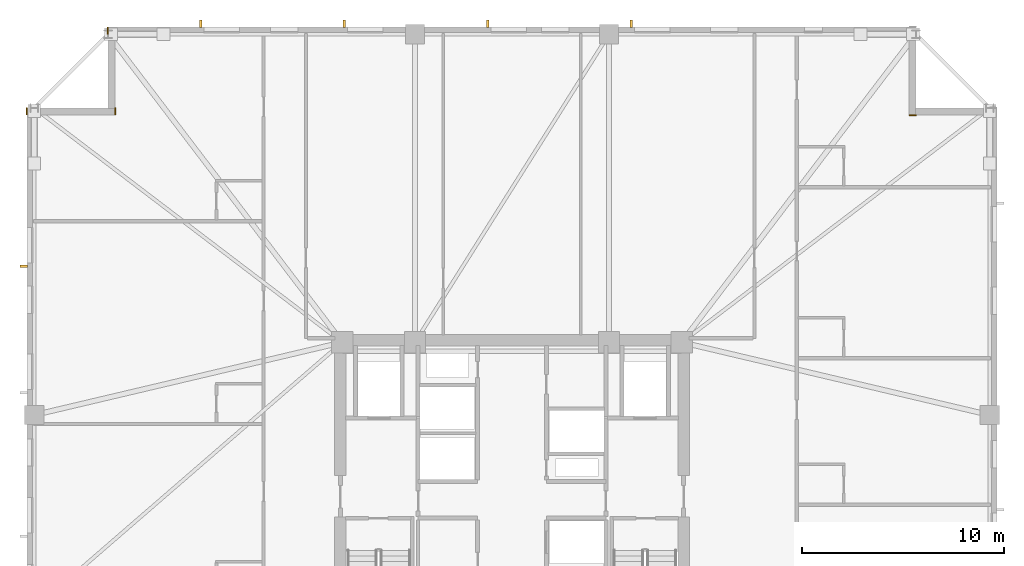
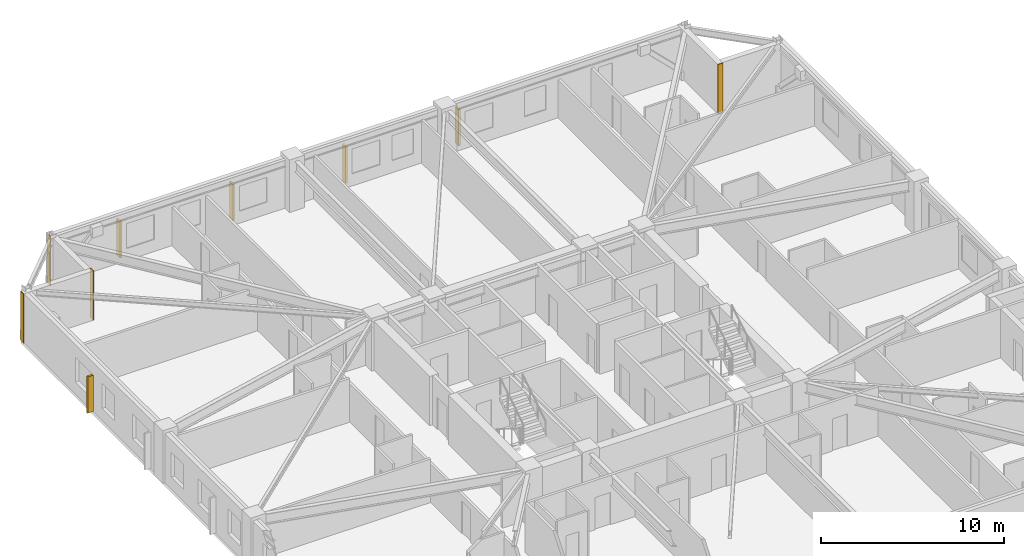
# One storey, part 10 of 11: 5 shading devices, 4 coverings.
"""IFC4 building model written with IfcOpenShell, lengths in metres."""

import ifcopenshell
import ifcopenshell.guid

model = None  # the IFC model being written
_history = None  # IfcOwnerHistory: only IFC2X3 demands one
_inside = {}  # id of a spatial element -> (the spatial element, [elements in it])
_under = {}  # id of a project, library or spatial element -> (it, [spatial elements below it])
_declared = {}  # id of a project -> (the project, [libraries it declares])
_typed = {}  # id of a type object -> (the type object, [elements of that type])
_made_of = {}  # id of a material, layer set ... -> (it, [elements and type objects made of it])


def new_model(schema):
    """Start an empty IFC model of exactly this schema.

    Asked for "IFC4X3", IfcOpenShell would pick the latest addendum, in which some entities
    have other attributes; the version numbers below select the first issue.
    IFC2X3 requires an IfcOwnerHistory on every rooted entity: one is made here for all.
    """
    global model, _history
    if schema == "IFC4X3":
        model = ifcopenshell.file(schema_version=(4, 3, 0, 0))
    else:
        model = ifcopenshell.file(schema=schema)
    _inside.clear()
    _under.clear()
    _declared.clear()
    _typed.clear()
    _made_of.clear()
    _history = None
    if model.schema == "IFC2X3":
        org = make("IfcOrganization", Name="unknown")
        user = make(
            "IfcPersonAndOrganization",
            ThePerson=make("IfcPerson", FamilyName="unknown"),
            TheOrganization=org,
        )
        app = make(
            "IfcApplication",
            ApplicationDeveloper=org,
            Version="unknown",
            ApplicationFullName="unknown",
            ApplicationIdentifier="unknown",
        )
        _history = make(
            "IfcOwnerHistory",
            OwningUser=user,
            OwningApplication=app,
            ChangeAction="ADDED",
            CreationDate=0,
        )
    return model


def make(cls, **values):
    """One entity of the class cls with the attributes given. An attribute that is None is left unset."""
    return model.create_entity(
        cls, **{name: value for name, value in values.items() if value is not None}
    )


def rooted(cls, **values):
    """An entity with a GlobalId (a new one), such as an element, a storey or a relation."""
    return make(cls, GlobalId=ifcopenshell.guid.new(), OwnerHistory=_history, **values)


def si_unit(unit_type, name, prefix=None):
    """IfcSIUnit, for example si_unit("LENGTHUNIT", "METRE", prefix="MILLI")."""
    return make("IfcSIUnit", UnitType=unit_type, Prefix=prefix, Name=name)


def assignment(units):
    """IfcUnitAssignment: the units of a project."""
    return None if units is None else make("IfcUnitAssignment", Units=units)


def point(xyz):
    """IfcCartesianPoint."""
    return None if xyz is None else make("IfcCartesianPoint", Coordinates=xyz)


def direction(xyz):
    """IfcDirection."""
    return None if xyz is None else make("IfcDirection", DirectionRatios=xyz)


def frame(location, z_axis=None, x_axis=None):
    """IfcAxis2Placement3D, a coordinate frame: its origin and axes. An axis left out is left unset."""
    return make(
        "IfcAxis2Placement3D",
        Location=point(location),
        Axis=direction(z_axis),
        RefDirection=direction(x_axis),
    )


def frame_2d(location, x_axis=None):
    """IfcAxis2Placement2D, a coordinate frame in the plane: its origin and x axis."""
    return make(
        "IfcAxis2Placement2D", Location=point(location), RefDirection=direction(x_axis)
    )


def origin():
    """The frame at (0, 0, 0) with its axes left unset."""
    return frame((0.0, 0.0, 0.0))


def origin_2d():
    """The frame at (0, 0) in the plane with its x axis left unset."""
    return frame_2d((0.0, 0.0))


def place(relative_to, where):
    """IfcLocalPlacement: puts the frame where relative to a parent placement (None: the world)."""
    return make(
        "IfcLocalPlacement", PlacementRelTo=relative_to, RelativePlacement=where
    )


def context(
    kind, dimensions, precision=None, world=None, true_north=None, identifier=None
):
    """IfcGeometricRepresentationContext, for example the 3D "Model" context."""
    return make(
        "IfcGeometricRepresentationContext",
        ContextIdentifier=identifier,
        ContextType=kind,
        CoordinateSpaceDimension=dimensions,
        Precision=precision,
        WorldCoordinateSystem=world,
        TrueNorth=true_north,
    )


def subcontext(parent, identifier, kind, view, scale=None):
    """IfcGeometricRepresentationSubContext, for example "Body" below "Model"."""
    return make(
        "IfcGeometricRepresentationSubContext",
        ContextIdentifier=identifier,
        ContextType=kind,
        ParentContext=parent,
        TargetScale=scale,
        TargetView=view,
    )


def project(units=None, contexts=None):
    """IfcProject with its units and contexts."""
    return rooted(
        "IfcProject",
        Name="project",
        RepresentationContexts=contexts,
        UnitsInContext=assignment(units),
    )


def spatial(cls, under=None, at=None, **own):
    """A site, building, storey or space (cls), placed at a placement, below another one or the project."""
    s = rooted(cls, ObjectPlacement=at, **own)
    if under is not None:
        _under.setdefault(under.id(), (under, []))[1].append(s)
    return s


def profile(cls, at=None, kind="AREA", **sizes):
    """A parametric profile (cls). Its sizes go by their IFC names, for example OverallWidth=200.0."""
    return make(cls, ProfileType=kind, Position=at, **sizes)


def rectangle(**sizes):
    """IfcRectangleProfileDef."""
    return profile("IfcRectangleProfileDef", **sizes)


def extrude(swept, where, along, depth):
    """IfcExtrudedAreaSolid: the profile swept, set in the frame where, extruded along a direction by depth."""
    return make(
        "IfcExtrudedAreaSolid",
        SweptArea=swept,
        Position=where,
        ExtrudedDirection=direction(along),
        Depth=depth,
    )


def shape(context_of_items, identifier, shape_type, items):
    """IfcShapeRepresentation: the items that make up one representation, for example the "Body"."""
    return make(
        "IfcShapeRepresentation",
        ContextOfItems=context_of_items,
        RepresentationIdentifier=identifier,
        RepresentationType=shape_type,
        Items=items,
    )


def material(Name=None, Category=None):
    """IfcMaterial."""
    return make("IfcMaterial", Name=Name, Category=Category)


def layer(
    of_material, thickness, ventilated=None, Name=None, Category=None, Priority=None
):
    """IfcMaterialLayer: one layer of a wall or slab, of a material (None: an air gap)."""
    return make(
        "IfcMaterialLayer",
        Material=of_material,
        LayerThickness=thickness,
        IsVentilated=ventilated,
        Name=Name,
        Category=Category,
        Priority=Priority,
    )


def layer_set(layers, Name=None):
    """IfcMaterialLayerSet."""
    return make("IfcMaterialLayerSet", MaterialLayers=layers, LayerSetName=Name)


def made_of(thing, what):
    """Note that an element or type object is made of a material, layer set ...; save() writes the relation."""
    if what is not None:
        _made_of.setdefault(what.id(), (what, []))[1].append(thing)
    return thing


def type_object(cls, material=None, **own):
    """A type object (cls), such as IfcWallType, which elements share."""
    return made_of(rooted(cls, **own), material)


def element(
    cls,
    number,
    at=None,
    inside=None,
    cuts=None,
    type_object=None,
    material=None,
    context=None,
    identifier="Body",
    shape_type=None,
    held_by="IfcProductDefinitionShape",
    body=None,
    shapes=None,
    **own,
):
    """One element of the class cls, such as IfcWall. Its Tag is "e" and its number.

    at: its placement. inside: the storey or other place that contains it. cuts: it is an
    opening in that element (IfcRelVoidsElement). A single representation is given by context,
    identifier, shape_type and body (its items); several are given by shapes. held_by: the class
    of the entity that holds the representations. save() writes the other relations.
    """
    e = rooted(cls, Tag="e%d" % number, ObjectPlacement=at, **own)
    if body is not None:
        shapes = [shape(context, identifier, shape_type, body)]
    if shapes is not None:
        e.Representation = make(held_by, Representations=shapes)
    if inside is not None:
        _inside.setdefault(inside.id(), (inside, []))[1].append(e)
    if cuts is not None:
        rooted(
            "IfcRelVoidsElement", RelatingBuildingElement=cuts, RelatedOpeningElement=e
        )
    if type_object is not None:
        _typed.setdefault(type_object.id(), (type_object, []))[1].append(e)
    return made_of(e, material)


def aggregate(whole, parts):
    """IfcRelAggregates: a whole, such as a stair, and the parts it consists of."""
    return rooted("IfcRelAggregates", RelatingObject=whole, RelatedObjects=parts)


def save(model, path):
    """Write the relations noted so far, then the file.

    IfcRelAggregates (storeys below a building ...), IfcRelContainedInSpatialStructure (elements
    in a storey), IfcRelDefinesByType, IfcRelAssociatesMaterial and IfcRelDeclares: one each for
    every whole, place, type object, material and project.
    """
    for whole, parts in _under.values():
        aggregate(whole, parts)
    for where, things in _inside.values():
        rooted(
            "IfcRelContainedInSpatialStructure",
            RelatedElements=things,
            RelatingStructure=where,
        )
    for kind, things in _typed.values():
        rooted("IfcRelDefinesByType", RelatedObjects=things, RelatingType=kind)
    for what, things in _made_of.values():
        rooted("IfcRelAssociatesMaterial", RelatedObjects=things, RelatingMaterial=what)
    for by, libraries in _declared.values():
        rooted("IfcRelDeclares", RelatingContext=by, RelatedDefinitions=libraries)
    model.write(path)


model = new_model("IFC4")

# Units and contexts
model_context = context("Model", 3, precision=1e-05, world=origin(), true_north=direction((0.0, 1.0)))
body_context = subcontext(model_context, "Body", "Model", "MODEL_VIEW")
ifc_project = project(units=[si_unit("LENGTHUNIT", "METRE"), si_unit("AREAUNIT", "SQUARE_METRE"), si_unit("VOLUMEUNIT", "CUBIC_METRE"), si_unit("PLANEANGLEUNIT", "RADIAN"), si_unit("MASSUNIT", "GRAM", prefix="KILO")], contexts=[model_context])

# Site, building, storey
site_placement = place(None, origin())
site = spatial("IfcSite", under=ifc_project, at=site_placement, CompositionType="ELEMENT")
building_placement = place(site_placement, origin())
building = spatial("IfcBuilding", under=site, at=building_placement, Name="Cairnveth Concourse Tower", CompositionType="ELEMENT")
storey_placement = place(building_placement, frame((0.0, 0.0, 172.5)))
storey = spatial("IfcBuildingStorey", under=building, at=storey_placement, Name="L47", CompositionType="ELEMENT", Elevation=172.5)

# Coverings
ifc_material_1 = material(Name="Dressed Melbourne Bluestone Cladding", Category="masonry")
ifc_layer = layer(ifc_material_1, 0.050048828125)
ifc_layer_set = layer_set([ifc_layer], Name="Dressed Melbourne Bluestone Cladding")
covering_type = type_object("IfcCoveringType", Name="DRESSED BLUESTONE PLINTH CLADDING 50", PredefinedType="CLADDING", material=ifc_layer_set)
for number, where, z_axis, x_axis, name in (
    (1, (27.97998046875, 58.659912109375, 0.0), (0.0, 0.0, 1.0), (0.0, 1.0, 0.0), "Melbourne Bluestone Corner Quoin L47-698"),
    (2, (32.360107421875, 58.659912109375, 0.0), (0.0, 0.0, 1.0), (0.0, 1.0, 0.0), "Melbourne Bluestone Corner Quoin L47-699"),
    (3, (31.97998046875, 62.659912109375, 0.0), (0.0, 0.0, 1.0), (0.0, 1.0, 0.0), "Melbourne Bluestone Corner Quoin L47-700"),
    (4, (71.659912109375, 58.639892578125, 0.0), (0.0, 0.0, 1.0), (1.0, 0.0, 0.0), "Melbourne Bluestone Corner Quoin L47-702"),
):
    element("IfcCovering", number, at=place(storey_placement, frame(where, z_axis=z_axis, x_axis=x_axis)), inside=storey, type_object=covering_type, Name=name, PredefinedType="CLADDING", context=body_context, shape_type="SweptSolid", body=[
        extrude(rectangle(XDim=0.340087890625, YDim=0.050048828125, at=frame_2d((0.169921875, 0.0))), origin(), (0.0, 0.0, 1.0), 3.280029296875),
    ])

# Shading devices
ifc_material_2 = material(Name="Architectural Bronze Anodised Aluminium 6063-T6", Category="aluminium")
shading_device_type = type_object("IfcShadingDeviceType", Name="GOTHIC BRONZE VERTICAL LANCET FIN", PredefinedType="USERDEFINED", material=ifc_material_2)
for number, where, z_axis, x_axis, name in (
    (5, (27.824951171875, 51.170166015625, 0.030029296875), (0.0, 0.0, 1.0), (0.0, 1.0, 0.0), "Gothic Bronze Vertical Fin L47-6-9"),
    (6, (36.591796875, 63.175048828125, 0.030029296875), (0.0, 0.0, 1.0), (1.0, 0.0, 0.0), "Gothic Bronze Vertical Fin L47-9-1"),
    (7, (43.698974609375, 63.175048828125, 0.030029296875), (0.0, 0.0, 1.0), (1.0, 0.0, 0.0), "Gothic Bronze Vertical Fin L47-9-3"),
    (8, (50.805908203125, 63.175048828125, 0.030029296875), (0.0, 0.0, 1.0), (1.0, 0.0, 0.0), "Gothic Bronze Vertical Fin L47-9-5"),
    (9, (57.9130859375, 63.175048828125, 0.030029296875), (0.0, 0.0, 1.0), (1.0, 0.0, 0.0), "Gothic Bronze Vertical Fin L47-9-7"),
):
    element("IfcShadingDevice", number, at=place(storey_placement, frame(where, z_axis=z_axis, x_axis=x_axis)), inside=storey, type_object=shading_device_type, Name=name, ObjectType="VERTICAL FIN", PredefinedType="USERDEFINED", context=body_context, shape_type="SweptSolid", body=[
        extrude(rectangle(XDim=0.1201171875, YDim=0.360107421875, at=origin_2d()), origin(), (0.0, 0.0, 1.0), 2.419921875),
    ])

save(model, "model.ifc")
